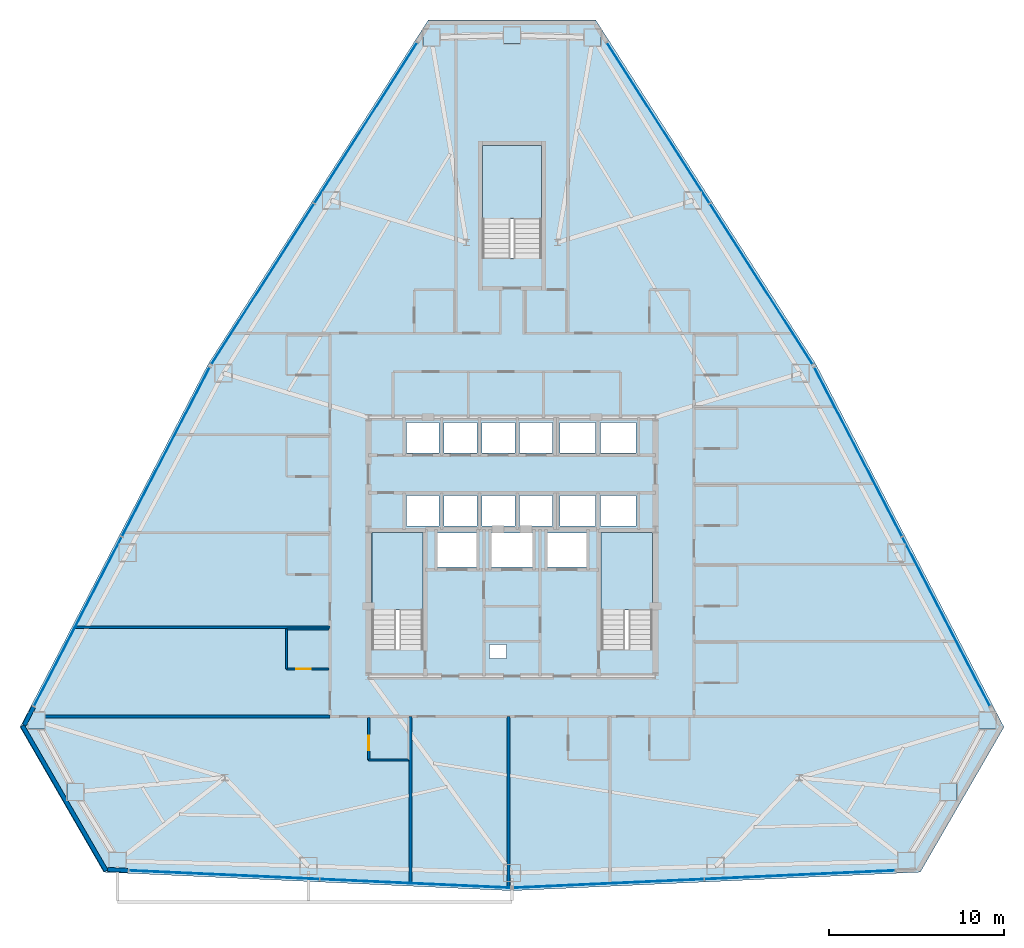
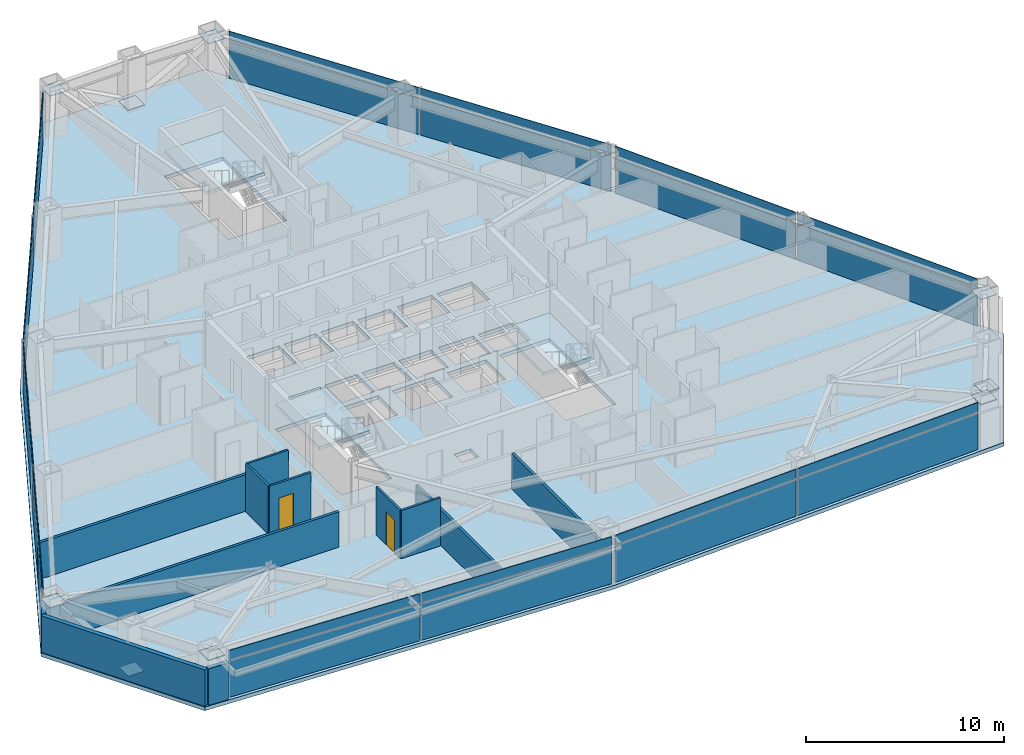
# One storey, part 8 of 13: 33 plates, 12 walls, 4 slabs, 2 doors, 2 openings, 9 elements without a shape of their own.
"""IFC4 building model written with IfcOpenShell, lengths in metres."""

from ifc_helpers import new_model, si_unit, direction, frame, frame_2d, origin, origin_2d, place, context, subcontext, project, spatial, polyline, rectangle, outline, extrude, source, transform, mapped, material, layer, layer_set, type_object, type_shapes, element, fill, aggregate, save


model = new_model("IFC4")

# Units and contexts
model_context = context("Model", 3, precision=1e-05, world=origin(), true_north=direction((0.0, 1.0)))
body_context = subcontext(model_context, "Body", "Model", "MODEL_VIEW")
ifc_project = project(units=[si_unit("LENGTHUNIT", "METRE"), si_unit("AREAUNIT", "SQUARE_METRE"), si_unit("VOLUMEUNIT", "CUBIC_METRE"), si_unit("PLANEANGLEUNIT", "RADIAN"), si_unit("MASSUNIT", "GRAM", prefix="KILO")], contexts=[model_context])

# Site, building, storey
site_placement = place(None, origin())
site = spatial("IfcSite", under=ifc_project, at=site_placement, CompositionType="ELEMENT")
building_placement = place(site_placement, origin())
building = spatial("IfcBuilding", under=site, at=building_placement, Name="Varakhsha Concourse Tower", CompositionType="ELEMENT")
storey_placement = place(building_placement, frame((0.0, 0.0, 89.39990234375)))
storey = spatial("IfcBuildingStorey", under=building, at=storey_placement, Name="L25", CompositionType="ELEMENT", Elevation=89.39990234375)

# Slab
ifc_material_1 = material(Name="Concrete fc 45 MPa", Category="concrete")
ifc_layer_1 = layer(ifc_material_1, 0.22998046875, Name="SL-FLR-230")
ifc_layer_set_1 = layer_set([ifc_layer_1], Name="Concrete fc 45 MPa")
slab_type_1 = type_object("IfcSlabType", Name="SL-FLR-230", PredefinedType="FLOOR", material=ifc_layer_set_1)
slab_1_placement = place(storey_placement, frame((0.0, 0.0, -0.22998046875)))
element("IfcSlab", 1, at=slab_1_placement, inside=storey, type_object=slab_type_1, Name="L25 Composite Structural Slab", PredefinedType="FLOOR", context=body_context, shape_type="SweptSolid", body=[
    extrude(outline(polyline([(44.78564453125, 53.910888671875), (35.21435546875, 53.910888671875), (22.62744140625, 34.22998046875), (11.876708984375, 13.489013671875), (16.662353515625, 5.199951171875), (40.0, 4.139892578125), (63.337646484375, 5.199951171875), (68.123291015625, 13.489013671875), (57.37255859375, 34.22998046875), (44.78564453125, 53.910888671875)]), holes=[polyline([(34.919921875, 17.93994140625), (34.919921875, 24.6298828125), (32.0, 24.6298828125), (32.0, 17.93994140625), (34.919921875, 17.93994140625)]), polyline([(48.02001953125, 17.93994140625), (48.02001953125, 24.6298828125), (45.10009765625, 24.6298828125), (45.10009765625, 17.93994140625), (48.02001953125, 17.93994140625)]), polyline([(41.699951171875, 40.300048828125), (41.699951171875, 46.75), (38.300048828125, 46.75), (38.300048828125, 40.300048828125), (41.699951171875, 40.300048828125)]), polyline([(33.9599609375, 29.159912109375), (35.840087890625, 29.159912109375), (35.840087890625, 30.89990234375), (33.9599609375, 30.89990234375), (33.9599609375, 29.159912109375)]), polyline([(36.1201171875, 29.159912109375), (38.0, 29.159912109375), (38.0, 30.89990234375), (36.1201171875, 30.89990234375), (36.1201171875, 29.159912109375)]), polyline([(38.280029296875, 29.159912109375), (40.159912109375, 29.159912109375), (40.159912109375, 30.89990234375), (38.280029296875, 30.89990234375), (38.280029296875, 29.159912109375)]), polyline([(40.43994140625, 29.159912109375), (42.320068359375, 29.159912109375), (42.320068359375, 30.89990234375), (40.43994140625, 30.89990234375), (40.43994140625, 29.159912109375)]), polyline([(33.9599609375, 25.0), (35.840087890625, 25.0), (35.840087890625, 26.739990234375), (33.9599609375, 26.739990234375), (33.9599609375, 25.0)]), polyline([(36.1201171875, 25.0), (38.0, 25.0), (38.0, 26.739990234375), (36.1201171875, 26.739990234375), (36.1201171875, 25.0)]), polyline([(38.280029296875, 25.0), (40.159912109375, 25.0), (40.159912109375, 26.739990234375), (38.280029296875, 26.739990234375), (38.280029296875, 25.0)]), polyline([(40.43994140625, 25.0), (42.320068359375, 25.0), (42.320068359375, 26.739990234375), (40.43994140625, 26.739990234375), (40.43994140625, 25.0)]), polyline([(42.739990234375, 29.159912109375), (44.780029296875, 29.159912109375), (44.780029296875, 30.89990234375), (42.739990234375, 30.89990234375), (42.739990234375, 29.159912109375)]), polyline([(45.06005859375, 29.159912109375), (47.10009765625, 29.159912109375), (47.10009765625, 30.89990234375), (45.06005859375, 30.89990234375), (45.06005859375, 29.159912109375)]), polyline([(42.739990234375, 25.0), (44.780029296875, 25.0), (44.780029296875, 26.739990234375), (42.739990234375, 26.739990234375), (42.739990234375, 25.0)]), polyline([(45.06005859375, 25.0), (47.10009765625, 25.0), (47.10009765625, 26.739990234375), (45.06005859375, 26.739990234375), (45.06005859375, 25.0)]), polyline([(35.7099609375, 22.639892578125), (37.989990234375, 22.639892578125), (37.989990234375, 24.60009765625), (35.7099609375, 24.60009765625), (35.7099609375, 22.639892578125)]), polyline([(42.010009765625, 22.639892578125), (44.2900390625, 22.639892578125), (44.2900390625, 24.60009765625), (42.010009765625, 24.60009765625), (42.010009765625, 22.639892578125)]), polyline([(38.81005859375, 22.639892578125), (41.18994140625, 22.639892578125), (41.18994140625, 24.60009765625), (38.81005859375, 24.60009765625), (38.81005859375, 22.639892578125)]), polyline([(38.719970703125, 17.39990234375), (39.679931640625, 17.39990234375), (39.679931640625, 18.199951171875), (38.719970703125, 18.199951171875), (38.719970703125, 17.39990234375)])]), origin(), (0.0, 0.0, 1.0), 0.22998046875),
])

# Stair, slab
stair_type_1 = type_object("IfcStairType", Name="ST-DOGLEG-1360", PredefinedType="HALF_TURN_STAIR", material=ifc_material_1)
stair_1_placement = place(storey_placement, origin())
stair_1 = element("IfcStair", 2, at=stair_1_placement, inside=storey, type_object=stair_type_1, Name="L25 Protected Exit Stair ST1", PredefinedType="HALF_TURN_STAIR")
ifc_layer_2 = layer(ifc_material_1, 0.199951171875, Name="SL-LAND-200")
ifc_layer_set_2 = layer_set([ifc_layer_2], Name="Concrete fc 45 MPa")
slab_type_2 = type_object("IfcSlabType", Name="SL-LAND-200", PredefinedType="LANDING", material=ifc_layer_set_2)
slab_2_placement = place(storey_placement, frame((0.0, 0.0, 1.400146484375)))
slab_2 = element("IfcSlab", 3, at=slab_2_placement, type_object=slab_type_2, Name="ST1 landing 1", PredefinedType="LANDING", context=body_context, shape_type="SweptSolid", body=[
    extrude(outline(polyline([(34.919921875, 20.179931640625), (34.919921875, 24.6298828125), (32.0, 24.6298828125), (32.0, 20.179931640625), (34.919921875, 20.179931640625)])), origin(), (0.0, 0.0, 1.0), 0.199951171875),
])
aggregate(stair_1, [slab_2])

stair_2_placement = place(storey_placement, origin())
stair_2 = element("IfcStair", 4, at=stair_2_placement, inside=storey, type_object=stair_type_1, Name="L25 Protected Exit Stair ST2", PredefinedType="HALF_TURN_STAIR")
slab_3_placement = place(storey_placement, frame((0.0, 0.0, 1.400146484375)))
slab_3 = element("IfcSlab", 5, at=slab_3_placement, type_object=slab_type_2, Name="ST2 landing 1", PredefinedType="LANDING", context=body_context, shape_type="SweptSolid", body=[
    extrude(outline(polyline([(48.02001953125, 20.179931640625), (48.02001953125, 24.6298828125), (45.10009765625, 24.6298828125), (45.10009765625, 20.179931640625), (48.02001953125, 20.179931640625)])), origin(), (0.0, 0.0, 1.0), 0.199951171875),
])
aggregate(stair_2, [slab_3])

stair_type_2 = type_object("IfcStairType", Name="ST-DOGLEG-1600", PredefinedType="HALF_TURN_STAIR", material=ifc_material_1)
stair_3_placement = place(storey_placement, origin())
stair_3 = element("IfcStair", 6, at=stair_3_placement, inside=storey, type_object=stair_type_2, Name="L25 Protected Exit Stair ST5", PredefinedType="HALF_TURN_STAIR")
slab_4_placement = place(storey_placement, frame((0.0, 0.0, 1.400146484375)))
slab_4 = element("IfcSlab", 7, at=slab_4_placement, type_object=slab_type_2, Name="ST5 landing 1", PredefinedType="LANDING", context=body_context, shape_type="SweptSolid", body=[
    extrude(outline(polyline([(41.699951171875, 42.5400390625), (41.699951171875, 46.75), (38.300048828125, 46.75), (38.300048828125, 42.5400390625), (41.699951171875, 42.5400390625)])), origin(), (0.0, 0.0, 1.0), 0.199951171875),
])
aggregate(stair_3, [slab_4])

# Plates
ifc_material_2 = material(Name="Structural Steel ASTM A572 Grade 50", Category="steel")
ifc_layer_3 = layer(ifc_material_2, 0.030029296875, Name="PL-ENDCAP-950")
ifc_layer_set_3 = layer_set([ifc_layer_3], Name="Structural Steel ASTM A572 Grade 50")
plate_type_1 = type_object("IfcPlateType", Name="PL-ENDCAP-950", PredefinedType="USERDEFINED", material=ifc_layer_set_3)
shared_shape_1 = source(origin(), body_context, "Body", "SweptSolid", [
    extrude(rectangle(XDim=0.949951171875, YDim=0.949951171875, at=origin_2d()), origin(), (0.0, 0.0, 1.0), 0.030029296875),
])
type_shapes(plate_type_1, [shared_shape_1])
for number, where, z_axis, x_axis, name in (
    (8, (40.0, 53.031005859375, 0.10498046875), (0.0, 0.0, 1.0), (1.0, 0.0, 0.0), "Hollow Section End Cap GP-NODE-L25-0235"),
    (9, (44.624755859375, 52.911865234375, 2.6552734375), (0.0, 0.0, 1.0), (1.0, 0.0, 0.0), "Hollow Section End Cap GP-NODE-L25-0236"),
    (10, (35.375244140625, 52.911865234375, 2.6552734375), (0.0, 0.0, 1.0), (1.0, 0.0, 0.0), "Hollow Section End Cap GP-NODE-L25-0237"),
    (11, (15.03173828125, 9.784423828125, 0.10498046875), (0.0, 0.0, 1.0), (1.0, 0.0, 0.0), "Hollow Section End Cap GP-NODE-L25-0238"),
    (12, (12.822509765625, 13.849365234375, 2.6552734375), (0.0, 0.0, 1.0), (1.0, 0.0, 0.0), "Hollow Section End Cap GP-NODE-L25-0239"),
    (13, (17.447265625, 5.8388671875, 2.6552734375), (0.0, 0.0, 1.0), (1.0, 0.0, 0.0), "Hollow Section End Cap GP-NODE-L25-0240"),
    (14, (64.96826171875, 9.784423828125, 0.10498046875), (0.0, 0.0, 1.0), (1.0, 0.0, 0.0), "Hollow Section End Cap GP-NODE-L25-0241"),
    (15, (62.552734375, 5.8388671875, 2.6552734375), (0.0, 0.0, 1.0), (1.0, 0.0, 0.0), "Hollow Section End Cap GP-NODE-L25-0242"),
    (16, (67.177490234375, 13.849365234375, 2.6552734375), (0.0, 0.0, 1.0), (1.0, 0.0, 0.0), "Hollow Section End Cap GP-NODE-L25-0243"),
):
    element("IfcPlate", number, at=place(storey_placement, frame(where, z_axis=z_axis, x_axis=x_axis)), inside=storey, type_object=plate_type_1, Name=name, ObjectType="END PLATE", PredefinedType="USERDEFINED", context=body_context, shape_type="MappedRepresentation", body=[
        mapped(shared_shape_1, transform((0.0, 0.0, 0.0), scale=1.0)),
    ])

# Curtain wall, plates
ifc_material_3 = material(Name="Anodised Bronze Architectural Aluminium AA 6063-T6", Category="aluminium")
ifc_layer_4 = layer(ifc_material_3, 0.199951171875, Name="CW-SYS-03")
ifc_layer_set_4 = layer_set([ifc_layer_4], Name="Anodised Bronze Architectural Aluminium AA 6063-T6")
curtain_wall_type = type_object("IfcCurtainWallType", Name="CW-SYS-03", PredefinedType="NOTDEFINED", material=ifc_layer_set_4)
curtain_wall_1_placement = place(storey_placement, origin())
curtain_wall_1 = element("IfcCurtainWall", 17, at=curtain_wall_1_placement, inside=storey, type_object=curtain_wall_type, Name="L25 Crystal Curtain Wall F2", PredefinedType="NOTDEFINED")
ifc_material_4 = material(Name="Low-E Triple Insulating Glass IGU 44 mm", Category="glass")
ifc_layer_5 = layer(ifc_material_4, 0.0439453125, Name="CWP-IGU-44")
ifc_layer_set_5 = layer_set([ifc_layer_5], Name="Low-E Triple Insulating Glass IGU 44 mm")
plate_type_2 = type_object("IfcPlateType", Name="CWP-IGU-44", PredefinedType="CURTAIN_PANEL", material=ifc_layer_set_5)
shared_shape_2 = source(origin(), body_context, "Body", "SweptSolid", [
    extrude(rectangle(XDim=10.851806640625, YDim=0.0439453125, at=origin_2d()), origin(), (0.0, 0.0, 1.0), 2.2509765625),
])
type_shapes(plate_type_2, [shared_shape_2])
plate_1_placement = place(storey_placement, frame((25.75, 38.815673828125, 0.03466796875), z_axis=(0.0, 0.0, 1.0), x_axis=(0.538786958833, 0.842442053195, 0.0)))
plate_1 = element("IfcPlate", 18, at=plate_1_placement, type_object=plate_type_2, Name="CW-L25-F2 Panel 00-00", PredefinedType="CURTAIN_PANEL", context=body_context, shape_type="MappedRepresentation", body=[
    mapped(shared_shape_2, transform((0.0, 0.0, 0.0), scale=1.0)),
])
plate_2_placement = place(storey_placement, frame((31.639404296875, 48.024169921875, 0.03466796875), z_axis=(0.0, 0.0, 1.0), x_axis=(0.538786958833, 0.842442053195, 0.0)))
plate_2 = element("IfcPlate", 19, at=plate_2_placement, type_object=plate_type_2, Name="CW-L25-F2 Panel 01-00", PredefinedType="CURTAIN_PANEL", context=body_context, shape_type="MappedRepresentation", body=[
    mapped(shared_shape_2, transform((0.0, 0.0, 0.0), scale=1.0)),
])

curtain_wall_2_placement = place(storey_placement, origin())
curtain_wall_2 = element("IfcCurtainWall", 20, at=curtain_wall_2_placement, inside=storey, type_object=curtain_wall_type, Name="L25 Crystal Curtain Wall F3", PredefinedType="NOTDEFINED")
plate_3_placement = place(storey_placement, frame((15.187255859375, 19.528564453125, 0.03466796875), z_axis=(0.0, 0.0, 1.0), x_axis=(0.460185838956, 0.887822613828, 0.0)))
plate_3 = element("IfcPlate", 21, at=plate_3_placement, type_object=plate_type_2, Name="CW-L25-F3 Panel 00-00", PredefinedType="CURTAIN_PANEL", context=body_context, shape_type="MappedRepresentation", body=[
    mapped(shared_shape_2, transform((0.0, 0.0, 0.0), scale=1.0)),
])
plate_4_placement = place(storey_placement, frame((20.217529296875, 29.233154296875, 0.03466796875), z_axis=(0.0, 0.0, 1.0), x_axis=(0.460185838956, 0.887822613828, 0.0)))
plate_4 = element("IfcPlate", 22, at=plate_4_placement, type_object=plate_type_2, Name="CW-L25-F3 Panel 01-00", PredefinedType="CURTAIN_PANEL", context=body_context, shape_type="MappedRepresentation", body=[
    mapped(shared_shape_2, transform((0.0, 0.0, 0.0), scale=1.0)),
])

curtain_wall_3_placement = place(storey_placement, origin())
curtain_wall_3 = element("IfcCurtainWall", 23, at=curtain_wall_3_placement, inside=storey, type_object=curtain_wall_type, Name="L25 Crystal Curtain Wall F5", PredefinedType="NOTDEFINED")
plate_5_placement = place(storey_placement, frame((34.467529296875, 4.55126953125, 0.03466796875), z_axis=(0.0, 0.0, 1.0), x_axis=(-0.998969777905, 0.045380423448, 0.0)))
plate_5 = element("IfcPlate", 24, at=plate_5_placement, type_object=plate_type_2, Name="CW-L25-F5 Panel 00-00", PredefinedType="CURTAIN_PANEL", context=body_context, shape_type="MappedRepresentation", body=[
    mapped(shared_shape_2, transform((0.0, 0.0, 0.0), scale=1.0)),
])
plate_6_placement = place(storey_placement, frame((23.548095703125, 5.04736328125, 0.03466796875), z_axis=(0.0, 0.0, 1.0), x_axis=(-0.998969777905, 0.045380423448, 0.0)))
plate_6 = element("IfcPlate", 25, at=plate_6_placement, type_object=plate_type_2, Name="CW-L25-F5 Panel 01-00", PredefinedType="CURTAIN_PANEL", context=body_context, shape_type="MappedRepresentation", body=[
    mapped(shared_shape_2, transform((0.0, 0.0, 0.0), scale=1.0)),
])

curtain_wall_4_placement = place(storey_placement, origin())
curtain_wall_4 = element("IfcCurtainWall", 26, at=curtain_wall_4_placement, inside=storey, type_object=curtain_wall_type, Name="L25 Crystal Curtain Wall F6", PredefinedType="NOTDEFINED")
plate_7_placement = place(storey_placement, frame((56.451904296875, 5.04736328125, 0.03466796875), z_axis=(0.0, 0.0, 1.0), x_axis=(-0.998969777905, -0.045380423448, 0.0)))
plate_7 = element("IfcPlate", 27, at=plate_7_placement, type_object=plate_type_2, Name="CW-L25-F6 Panel 00-00", PredefinedType="CURTAIN_PANEL", context=body_context, shape_type="MappedRepresentation", body=[
    mapped(shared_shape_2, transform((0.0, 0.0, 0.0), scale=1.0)),
])
plate_8_placement = place(storey_placement, frame((45.532470703125, 4.55126953125, 0.03466796875), z_axis=(0.0, 0.0, 1.0), x_axis=(-0.998969777905, -0.045380423448, 0.0)))
plate_8 = element("IfcPlate", 28, at=plate_8_placement, type_object=plate_type_2, Name="CW-L25-F6 Panel 01-00", PredefinedType="CURTAIN_PANEL", context=body_context, shape_type="MappedRepresentation", body=[
    mapped(shared_shape_2, transform((0.0, 0.0, 0.0), scale=1.0)),
])

curtain_wall_5_placement = place(storey_placement, origin())
curtain_wall_5 = element("IfcCurtainWall", 29, at=curtain_wall_5_placement, inside=storey, type_object=curtain_wall_type, Name="L25 Crystal Curtain Wall F8", PredefinedType="NOTDEFINED")
plate_9_placement = place(storey_placement, frame((59.782470703125, 29.233154296875, 0.03466796875), z_axis=(0.0, 0.0, 1.0), x_axis=(0.460185838956, -0.887822613828, 0.0)))
plate_9 = element("IfcPlate", 30, at=plate_9_placement, type_object=plate_type_2, Name="CW-L25-F8 Panel 00-00", PredefinedType="CURTAIN_PANEL", context=body_context, shape_type="MappedRepresentation", body=[
    mapped(shared_shape_2, transform((0.0, 0.0, 0.0), scale=1.0)),
])
plate_10_placement = place(storey_placement, frame((64.812744140625, 19.528564453125, 0.03466796875), z_axis=(0.0, 0.0, 1.0), x_axis=(0.460185838956, -0.887822613828, 0.0)))
plate_10 = element("IfcPlate", 31, at=plate_10_placement, type_object=plate_type_2, Name="CW-L25-F8 Panel 01-00", PredefinedType="CURTAIN_PANEL", context=body_context, shape_type="MappedRepresentation", body=[
    mapped(shared_shape_2, transform((0.0, 0.0, 0.0), scale=1.0)),
])

curtain_wall_6_placement = place(storey_placement, origin())
curtain_wall_6 = element("IfcCurtainWall", 32, at=curtain_wall_6_placement, inside=storey, type_object=curtain_wall_type, Name="L25 Crystal Curtain Wall F9", PredefinedType="NOTDEFINED")
plate_11_placement = place(storey_placement, frame((48.360595703125, 48.024169921875, 0.03466796875), z_axis=(0.0, 0.0, 1.0), x_axis=(0.538786958833, -0.842442053195, 0.0)))
plate_11 = element("IfcPlate", 33, at=plate_11_placement, type_object=plate_type_2, Name="CW-L25-F9 Panel 00-00", PredefinedType="CURTAIN_PANEL", context=body_context, shape_type="MappedRepresentation", body=[
    mapped(shared_shape_2, transform((0.0, 0.0, 0.0), scale=1.0)),
])
plate_12_placement = place(storey_placement, frame((54.25, 38.815673828125, 0.03466796875), z_axis=(0.0, 0.0, 1.0), x_axis=(0.538786958833, -0.842442053195, 0.0)))
plate_12 = element("IfcPlate", 34, at=plate_12_placement, type_object=plate_type_2, Name="CW-L25-F9 Panel 01-00", PredefinedType="CURTAIN_PANEL", context=body_context, shape_type="MappedRepresentation", body=[
    mapped(shared_shape_2, transform((0.0, 0.0, 0.0), scale=1.0)),
])

# Plate
ifc_material_5 = material(Name="Glazed Turquoise-Bronze Ceramic Spandrel Panel 38 mm", Category="ceramic")
ifc_layer_6 = layer(ifc_material_5, 0.0380859375, Name="CWP-SPN-38")
ifc_layer_set_6 = layer_set([ifc_layer_6], Name="Glazed Turquoise-Bronze Ceramic Spandrel Panel 38 mm")
plate_type_3 = type_object("IfcPlateType", Name="CWP-SPN-38", PredefinedType="USERDEFINED", material=ifc_layer_set_6)
shared_shape_3 = source(origin(), body_context, "Body", "SweptSolid", [
    extrude(rectangle(XDim=10.851806640625, YDim=0.0380859375, at=origin_2d()), origin(), (0.0, 0.0, 1.0), 0.5810546875),
])
type_shapes(plate_type_3, [shared_shape_3])
plate_13_placement = place(storey_placement, frame((25.75, 38.815673828125, 2.3544921875), z_axis=(0.0, 0.0, 1.0), x_axis=(0.538786958833, 0.842442053195, 0.0)))
plate_13 = element("IfcPlate", 35, at=plate_13_placement, type_object=plate_type_3, Name="CW-L25-F2 Panel 00-01", ObjectType="SPANDREL", PredefinedType="USERDEFINED", context=body_context, shape_type="MappedRepresentation", body=[
    mapped(shared_shape_3, transform((0.0, 0.0, 0.0), scale=1.0)),
])

plate_14_placement = place(storey_placement, frame((31.639404296875, 48.024169921875, 2.3544921875), z_axis=(0.0, 0.0, 1.0), x_axis=(0.538786958833, 0.842442053195, 0.0)))
plate_14 = element("IfcPlate", 36, at=plate_14_placement, type_object=plate_type_3, Name="CW-L25-F2 Panel 01-01", ObjectType="SPANDREL", PredefinedType="USERDEFINED", context=body_context, shape_type="MappedRepresentation", body=[
    mapped(shared_shape_3, transform((0.0, 0.0, 0.0), scale=1.0)),
])

aggregate(curtain_wall_1, [plate_1, plate_13, plate_2, plate_14])

plate_15_placement = place(storey_placement, frame((15.187255859375, 19.528564453125, 2.3544921875), z_axis=(0.0, 0.0, 1.0), x_axis=(0.460185838956, 0.887822613828, 0.0)))
plate_15 = element("IfcPlate", 37, at=plate_15_placement, type_object=plate_type_3, Name="CW-L25-F3 Panel 00-01", ObjectType="SPANDREL", PredefinedType="USERDEFINED", context=body_context, shape_type="MappedRepresentation", body=[
    mapped(shared_shape_3, transform((0.0, 0.0, 0.0), scale=1.0)),
])

plate_16_placement = place(storey_placement, frame((20.217529296875, 29.233154296875, 2.3544921875), z_axis=(0.0, 0.0, 1.0), x_axis=(0.460185838956, 0.887822613828, 0.0)))
plate_16 = element("IfcPlate", 38, at=plate_16_placement, type_object=plate_type_3, Name="CW-L25-F3 Panel 01-01", ObjectType="SPANDREL", PredefinedType="USERDEFINED", context=body_context, shape_type="MappedRepresentation", body=[
    mapped(shared_shape_3, transform((0.0, 0.0, 0.0), scale=1.0)),
])

aggregate(curtain_wall_2, [plate_3, plate_15, plate_4, plate_16])

plate_17_placement = place(storey_placement, frame((34.467529296875, 4.55126953125, 2.3544921875), z_axis=(0.0, 0.0, 1.0), x_axis=(-0.998969777905, 0.045380423448, 0.0)))
plate_17 = element("IfcPlate", 39, at=plate_17_placement, type_object=plate_type_3, Name="CW-L25-F5 Panel 00-01", ObjectType="SPANDREL", PredefinedType="USERDEFINED", context=body_context, shape_type="MappedRepresentation", body=[
    mapped(shared_shape_3, transform((0.0, 0.0, 0.0), scale=1.0)),
])

plate_18_placement = place(storey_placement, frame((23.548095703125, 5.04736328125, 2.3544921875), z_axis=(0.0, 0.0, 1.0), x_axis=(-0.998969777905, 0.045380423448, 0.0)))
plate_18 = element("IfcPlate", 40, at=plate_18_placement, type_object=plate_type_3, Name="CW-L25-F5 Panel 01-01", ObjectType="SPANDREL", PredefinedType="USERDEFINED", context=body_context, shape_type="MappedRepresentation", body=[
    mapped(shared_shape_3, transform((0.0, 0.0, 0.0), scale=1.0)),
])

aggregate(curtain_wall_3, [plate_5, plate_17, plate_6, plate_18])

plate_19_placement = place(storey_placement, frame((56.451904296875, 5.04736328125, 2.3544921875), z_axis=(0.0, 0.0, 1.0), x_axis=(-0.998969777905, -0.045380423448, 0.0)))
plate_19 = element("IfcPlate", 41, at=plate_19_placement, type_object=plate_type_3, Name="CW-L25-F6 Panel 00-01", ObjectType="SPANDREL", PredefinedType="USERDEFINED", context=body_context, shape_type="MappedRepresentation", body=[
    mapped(shared_shape_3, transform((0.0, 0.0, 0.0), scale=1.0)),
])

plate_20_placement = place(storey_placement, frame((45.532470703125, 4.55126953125, 2.3544921875), z_axis=(0.0, 0.0, 1.0), x_axis=(-0.998969777905, -0.045380423448, 0.0)))
plate_20 = element("IfcPlate", 42, at=plate_20_placement, type_object=plate_type_3, Name="CW-L25-F6 Panel 01-01", ObjectType="SPANDREL", PredefinedType="USERDEFINED", context=body_context, shape_type="MappedRepresentation", body=[
    mapped(shared_shape_3, transform((0.0, 0.0, 0.0), scale=1.0)),
])

aggregate(curtain_wall_4, [plate_7, plate_19, plate_8, plate_20])

plate_21_placement = place(storey_placement, frame((59.782470703125, 29.233154296875, 2.3544921875), z_axis=(0.0, 0.0, 1.0), x_axis=(0.460185838956, -0.887822613828, 0.0)))
plate_21 = element("IfcPlate", 43, at=plate_21_placement, type_object=plate_type_3, Name="CW-L25-F8 Panel 00-01", ObjectType="SPANDREL", PredefinedType="USERDEFINED", context=body_context, shape_type="MappedRepresentation", body=[
    mapped(shared_shape_3, transform((0.0, 0.0, 0.0), scale=1.0)),
])

plate_22_placement = place(storey_placement, frame((64.812744140625, 19.528564453125, 2.3544921875), z_axis=(0.0, 0.0, 1.0), x_axis=(0.460185838956, -0.887822613828, 0.0)))
plate_22 = element("IfcPlate", 44, at=plate_22_placement, type_object=plate_type_3, Name="CW-L25-F8 Panel 01-01", ObjectType="SPANDREL", PredefinedType="USERDEFINED", context=body_context, shape_type="MappedRepresentation", body=[
    mapped(shared_shape_3, transform((0.0, 0.0, 0.0), scale=1.0)),
])

aggregate(curtain_wall_5, [plate_9, plate_21, plate_10, plate_22])

plate_23_placement = place(storey_placement, frame((48.360595703125, 48.024169921875, 2.3544921875), z_axis=(0.0, 0.0, 1.0), x_axis=(0.538786958833, -0.842442053195, 0.0)))
plate_23 = element("IfcPlate", 45, at=plate_23_placement, type_object=plate_type_3, Name="CW-L25-F9 Panel 00-01", ObjectType="SPANDREL", PredefinedType="USERDEFINED", context=body_context, shape_type="MappedRepresentation", body=[
    mapped(shared_shape_3, transform((0.0, 0.0, 0.0), scale=1.0)),
])

plate_24_placement = place(storey_placement, frame((54.25, 38.815673828125, 2.3544921875), z_axis=(0.0, 0.0, 1.0), x_axis=(0.538786958833, -0.842442053195, 0.0)))
plate_24 = element("IfcPlate", 46, at=plate_24_placement, type_object=plate_type_3, Name="CW-L25-F9 Panel 01-01", ObjectType="SPANDREL", PredefinedType="USERDEFINED", context=body_context, shape_type="MappedRepresentation", body=[
    mapped(shared_shape_3, transform((0.0, 0.0, 0.0), scale=1.0)),
])

aggregate(curtain_wall_6, [plate_11, plate_23, plate_12, plate_24])

# Walls
ifc_layer_7 = layer(ifc_material_1, 0.239990234375, Name="WL-EXT-CRN-240")
ifc_layer_set_7 = layer_set([ifc_layer_7], Name="Concrete fc 45 MPa")
wall_type_1 = type_object("IfcWallType", Name="WL-EXT-CRN-240", PredefinedType="SHEAR", material=ifc_layer_set_7)
wall_1_placement = place(storey_placement, frame((12.65478515625, 14.642822265625, 0.0), z_axis=(0.0, 0.0, 1.0), x_axis=(-0.460022833548, -0.887907085575, 0.0)))
element("IfcWall", 47, at=wall_1_placement, inside=storey, type_object=wall_type_1, Name="L25 Wind-Corner Shoulder Wall F3", PredefinedType="SHEAR", context=body_context, shape_type="SweptSolid", body=[
    extrude(rectangle(XDim=1.162353515625, YDim=0.239990234375, at=frame_2d((0.5810546875, 0.0))), origin(), (0.0, 0.0, 1.0), 2.253173828125),
])
wall_2_placement = place(storey_placement, frame((16.801025390625, 5.280029296875, 0.0), z_axis=(0.0, 0.0, 1.0), x_axis=(-0.499996243911, 0.866027572353, 0.0)))
element("IfcWall", 48, at=wall_2_placement, inside=storey, type_object=wall_type_1, Name="L25 Chamfer Wind-Corner Insulated Wall F4", PredefinedType="SHEAR", context=body_context, shape_type="SweptSolid", body=[
    extrude(rectangle(XDim=9.5712890625, YDim=0.239990234375, at=frame_2d((4.78564453125, 0.0))), origin(), (0.0, 0.0, 1.0), 2.253173828125),
])
wall_3_placement = place(storey_placement, frame((16.889404296875, 5.349853515625, 0.0), z_axis=(0.0, 0.0, 1.0), x_axis=(0.998970704025, -0.045360031967, 0.0)))
element("IfcWall", 49, at=wall_3_placement, inside=storey, type_object=wall_type_1, Name="L25 Wind-Corner Shoulder Wall F5", PredefinedType="SHEAR", context=body_context, shape_type="SweptSolid", body=[
    extrude(rectangle(XDim=1.16259765625, YDim=0.239990234375, at=frame_2d((0.581298828125, 0.0))), origin(), (0.0, 0.0, 1.0), 2.253173828125),
])

# Wall, opening, door
ifc_material_6 = material(Name="Acoustic Gypsum Board Partition Assembly", Category="gypsum")
ifc_layer_8 = layer(ifc_material_6, 0.1201171875, Name="WL-PART-120")
ifc_layer_set_8 = layer_set([ifc_layer_8], Name="Acoustic Gypsum Board Partition Assembly")
wall_type_2 = type_object("IfcWallType", Name="WL-PART-120", PredefinedType="PARTITIONING", material=ifc_layer_set_8)
wall_4_placement = place(storey_placement, frame((31.81005859375, 11.610107421875, 0.0), z_axis=(0.0, 0.0, 1.0), x_axis=(0.0, 1.0, 0.0)))
wall_4 = element("IfcWall", 50, at=wall_4_placement, inside=storey, type_object=wall_type_2, Name="L25 Wall ENSW-W-L25-H01", PredefinedType="PARTITIONING", context=body_context, shape_type="SweptSolid", body=[
    extrude(rectangle(XDim=2.429931640625, YDim=0.1201171875, at=frame_2d((1.21484375, 0.0))), origin(), (0.0, 0.0, 1.0), 2.97021484375),
])
opening_1_placement = place(wall_4_placement, frame((0.550048828125, 0.0, 0.0)))
opening_1 = element("IfcOpeningElement", 51, at=opening_1_placement, cuts=wall_4, Name="Opening DI-01", PredefinedType="OPENING", context=body_context, shape_type="SweptSolid", body=[
    extrude(rectangle(XDim=0.85009765625, YDim=2.050048828125, at=frame_2d((0.425048828125, 1.02490234375))), frame((0.0, 0.070068359375, 0.0), z_axis=(0.0, -1.0, 0.0), x_axis=(1.0, 0.0, 0.0)), (0.0, 0.0, 1.0), 0.14013671875),
])
ifc_material_7 = material(Name="Architectural Walnut Acoustic Timber Door", Category="wood")
door_type = type_object("IfcDoorType", Name="DR-INT-850", OperationType="NOTDEFINED", PredefinedType="DOOR", material=ifc_material_7)
door_1_placement = place(opening_1_placement, origin())
door_1 = element("IfcDoor", 52, at=door_1_placement, inside=storey, type_object=door_type, Name="L25 En-suite Bathroom Door L25-H01", OperationType="SINGLE_SWING_RIGHT", OverallHeight=2.050048828125, OverallWidth=0.85009765625, PredefinedType="DOOR", context=body_context, shape_type="SweptSolid", body=[
    extrude(rectangle(XDim=0.85009765625, YDim=2.050048828125, at=frame_2d((0.425048828125, 1.02490234375))), frame((0.0, 0.02490234375, 0.0), z_axis=(0.0, -1.0, 0.0), x_axis=(1.0, 0.0, 0.0)), (0.0, 0.0, 1.0), 0.050048828125),
])
fill(opening_1, door_1)

# Walls
for number, where, z_axis, x_axis, name in (
    (53, (31.81005859375, 11.610107421875, 0.0), (0.0, 0.0, 1.0), (1.0, 0.0, 0.0), "L25 Wall ENSW-S-L25-H01"),
    (54, (27.110107421875, 16.81005859375, 0.0), (0.0, 0.0, 1.0), (0.0, 1.0, 0.0), "L25 Wall ENSW-W-L25-H05"),
):
    element("IfcWall", number, at=place(storey_placement, frame(where, z_axis=z_axis, x_axis=x_axis)), inside=storey, type_object=wall_type_2, Name=name, PredefinedType="PARTITIONING", context=body_context, shape_type="SweptSolid", body=[
        extrude(rectangle(XDim=2.280029296875, YDim=0.1201171875, at=frame_2d((1.14013671875, 0.0))), origin(), (0.0, 0.0, 1.0), 2.97021484375),
    ])

# Wall, opening, door
wall_5_placement = place(storey_placement, frame((27.110107421875, 16.81005859375, 0.0), z_axis=(0.0, 0.0, 1.0), x_axis=(1.0, 0.0, 0.0)))
wall_5 = element("IfcWall", 55, at=wall_5_placement, inside=storey, type_object=wall_type_2, Name="L25 Wall ENSW-S-L25-H05", PredefinedType="PARTITIONING", context=body_context, shape_type="SweptSolid", body=[
    extrude(rectangle(XDim=2.429931640625, YDim=0.1201171875, at=frame_2d((1.21484375, 0.0))), origin(), (0.0, 0.0, 1.0), 2.97021484375),
])
opening_2_placement = place(wall_5_placement, frame((0.550048828125, 0.0, 0.0)))
opening_2 = element("IfcOpeningElement", 56, at=opening_2_placement, cuts=wall_5, Name="Opening DI-01", PredefinedType="OPENING", context=body_context, shape_type="SweptSolid", body=[
    extrude(rectangle(XDim=0.85009765625, YDim=2.050048828125, at=frame_2d((0.425048828125, 1.02490234375))), frame((0.0, 0.070068359375, 0.0), z_axis=(0.0, -1.0, 0.0), x_axis=(1.0, 0.0, 0.0)), (0.0, 0.0, 1.0), 0.14013671875),
])
door_2_placement = place(opening_2_placement, origin())
door_2 = element("IfcDoor", 57, at=door_2_placement, inside=storey, type_object=door_type, Name="L25 En-suite Bathroom Door L25-H05", OperationType="SINGLE_SWING_RIGHT", OverallHeight=2.050048828125, OverallWidth=0.85009765625, PredefinedType="DOOR", context=body_context, shape_type="SweptSolid", body=[
    extrude(rectangle(XDim=0.85009765625, YDim=2.050048828125, at=frame_2d((0.425048828125, 1.02490234375))), frame((0.0, 0.02490234375, 0.0), z_axis=(0.0, -1.0, 0.0), x_axis=(1.0, 0.0, 0.0)), (0.0, 0.0, 1.0), 0.050048828125),
])
fill(opening_2, door_2)

# Walls
wall_6_placement = place(storey_placement, frame((27.110107421875, 19.090087890625, 0.0), z_axis=(0.0, 0.0, 1.0), x_axis=(1.0, 0.0, 0.0)))
element("IfcWall", 58, at=wall_6_placement, inside=storey, type_object=wall_type_2, Name="L25 Wall ENSW-N-L25-H05", PredefinedType="PARTITIONING", context=body_context, shape_type="SweptSolid", body=[
    extrude(rectangle(XDim=2.429931640625, YDim=0.1201171875, at=frame_2d((1.21484375, 0.0))), origin(), (0.0, 0.0, 1.0), 2.97021484375),
])
ifc_material_8 = material(Name="Fire-Rated Type X Gypsum Partition Assembly", Category="gypsum")
ifc_layer_9 = layer(ifc_material_8, 0.14990234375, Name="WL-PART-150")
ifc_layer_set_9 = layer_set([ifc_layer_9], Name="Fire-Rated Type X Gypsum Partition Assembly")
wall_type_3 = type_object("IfcWallType", Name="WL-PART-150", PredefinedType="PARTITIONING", material=ifc_layer_set_9)
wall_7_placement = place(storey_placement, frame((34.199951171875, 4.568603515625, 0.0), z_axis=(0.0, 0.0, 1.0), x_axis=(0.0, 1.0, 0.0)))
element("IfcWall", 59, at=wall_7_placement, inside=storey, type_object=wall_type_3, Name="L25 Wall HDIV-S1-L25", PredefinedType="PARTITIONING", context=body_context, shape_type="SweptSolid", body=[
    extrude(rectangle(XDim=9.531494140625, YDim=0.14990234375, at=frame_2d((4.765625, 0.0))), origin(), (0.0, 0.0, 1.0), 2.18115234375),
])
wall_8_placement = place(storey_placement, frame((39.800048828125, 4.314208984375, 0.0), z_axis=(0.0, 0.0, 1.0), x_axis=(0.0, 1.0, 0.0)))
element("IfcWall", 60, at=wall_8_placement, inside=storey, type_object=wall_type_3, Name="L25 Wall HDIV-S2-L25", PredefinedType="PARTITIONING", context=body_context, shape_type="SweptSolid", body=[
    extrude(rectangle(XDim=9.785888671875, YDim=0.14990234375, at=frame_2d((4.89306640625, 0.0))), origin(), (0.0, 0.0, 1.0), 2.18115234375),
])
wall_9_placement = place(storey_placement, frame((12.379150390625, 14.10009765625, 0.0), z_axis=(0.0, 0.0, 1.0), x_axis=(1.0, 0.0, 0.0)))
element("IfcWall", 61, at=wall_9_placement, inside=storey, type_object=wall_type_3, Name="L25 Wall HDIV-WB0-L25", PredefinedType="PARTITIONING", context=body_context, shape_type="SweptSolid", body=[
    extrude(rectangle(XDim=17.220947265625, YDim=0.14990234375, at=frame_2d((8.6103515625, 0.0))), origin(), (0.0, 0.0, 1.0), 2.18115234375),
])
wall_10_placement = place(storey_placement, frame((15.022705078125, 19.199951171875, 0.0), z_axis=(0.0, 0.0, 1.0), x_axis=(1.0, 0.0, 0.0)))
element("IfcWall", 62, at=wall_10_placement, inside=storey, type_object=wall_type_3, Name="L25 Wall HDIV-W1-L25", PredefinedType="PARTITIONING", context=body_context, shape_type="SweptSolid", body=[
    extrude(rectangle(XDim=14.577392578125, YDim=0.14990234375, at=frame_2d((7.28857421875, 0.0))), origin(), (0.0, 0.0, 1.0), 2.258056640625),
])

save(model, "model.ifc")
